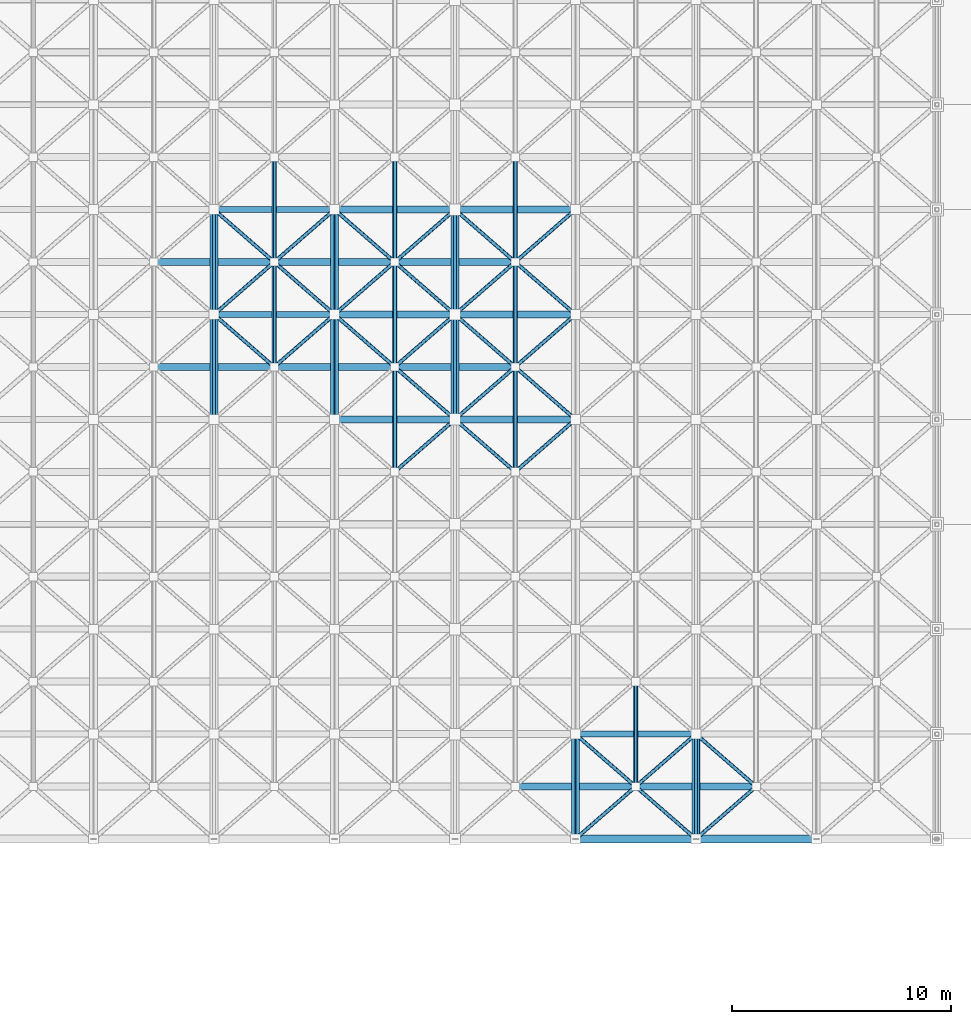
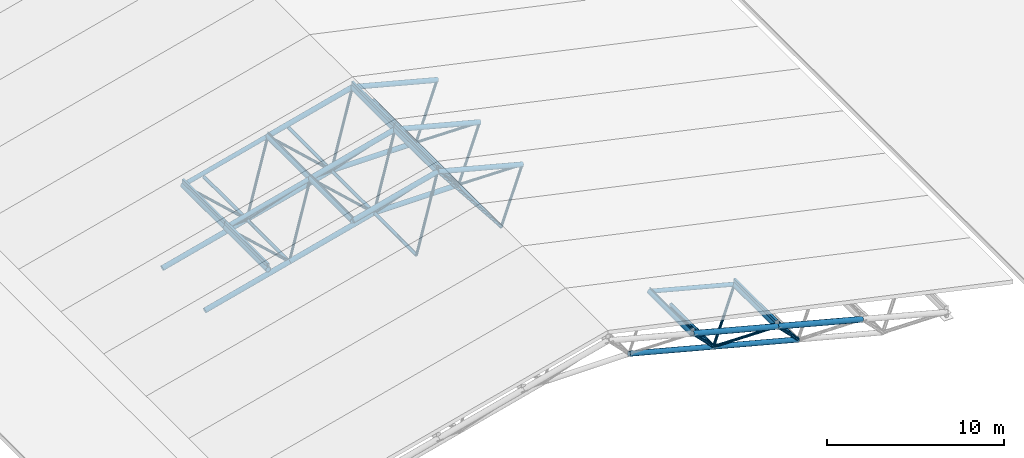
# One storey, part 4 of 60: 74 members.
"""IFC4 building model written with IfcOpenShell, lengths in metres."""

import ifcopenshell
import ifcopenshell.guid

model = None  # the IFC model being written
_history = None  # IfcOwnerHistory: only IFC2X3 demands one
_inside = {}  # id of a spatial element -> (the spatial element, [elements in it])
_under = {}  # id of a project, library or spatial element -> (it, [spatial elements below it])
_declared = {}  # id of a project -> (the project, [libraries it declares])
_typed = {}  # id of a type object -> (the type object, [elements of that type])
_made_of = {}  # id of a material, layer set ... -> (it, [elements and type objects made of it])


def new_model(schema):
    """Start an empty IFC model of exactly this schema.

    Asked for "IFC4X3", IfcOpenShell would pick the latest addendum, in which some entities
    have other attributes; the version numbers below select the first issue.
    IFC2X3 requires an IfcOwnerHistory on every rooted entity: one is made here for all.
    """
    global model, _history
    if schema == "IFC4X3":
        model = ifcopenshell.file(schema_version=(4, 3, 0, 0))
    else:
        model = ifcopenshell.file(schema=schema)
    _inside.clear()
    _under.clear()
    _declared.clear()
    _typed.clear()
    _made_of.clear()
    _history = None
    if model.schema == "IFC2X3":
        org = make("IfcOrganization", Name="unknown")
        user = make(
            "IfcPersonAndOrganization",
            ThePerson=make("IfcPerson", FamilyName="unknown"),
            TheOrganization=org,
        )
        app = make(
            "IfcApplication",
            ApplicationDeveloper=org,
            Version="unknown",
            ApplicationFullName="unknown",
            ApplicationIdentifier="unknown",
        )
        _history = make(
            "IfcOwnerHistory",
            OwningUser=user,
            OwningApplication=app,
            ChangeAction="ADDED",
            CreationDate=0,
        )
    return model


def make(cls, **values):
    """One entity of the class cls with the attributes given. An attribute that is None is left unset."""
    return model.create_entity(
        cls, **{name: value for name, value in values.items() if value is not None}
    )


def rooted(cls, **values):
    """An entity with a GlobalId (a new one), such as an element, a storey or a relation."""
    return make(cls, GlobalId=ifcopenshell.guid.new(), OwnerHistory=_history, **values)


def si_unit(unit_type, name, prefix=None):
    """IfcSIUnit, for example si_unit("LENGTHUNIT", "METRE", prefix="MILLI")."""
    return make("IfcSIUnit", UnitType=unit_type, Prefix=prefix, Name=name)


def assignment(units):
    """IfcUnitAssignment: the units of a project."""
    return None if units is None else make("IfcUnitAssignment", Units=units)


def point(xyz):
    """IfcCartesianPoint."""
    return None if xyz is None else make("IfcCartesianPoint", Coordinates=xyz)


def direction(xyz):
    """IfcDirection."""
    return None if xyz is None else make("IfcDirection", DirectionRatios=xyz)


def frame(location, z_axis=None, x_axis=None):
    """IfcAxis2Placement3D, a coordinate frame: its origin and axes. An axis left out is left unset."""
    return make(
        "IfcAxis2Placement3D",
        Location=point(location),
        Axis=direction(z_axis),
        RefDirection=direction(x_axis),
    )


def frame_2d(location, x_axis=None):
    """IfcAxis2Placement2D, a coordinate frame in the plane: its origin and x axis."""
    return make(
        "IfcAxis2Placement2D", Location=point(location), RefDirection=direction(x_axis)
    )


def origin():
    """The frame at (0, 0, 0) with its axes left unset."""
    return frame((0.0, 0.0, 0.0))


def origin_2d():
    """The frame at (0, 0) in the plane with its x axis left unset."""
    return frame_2d((0.0, 0.0))


def place(relative_to, where):
    """IfcLocalPlacement: puts the frame where relative to a parent placement (None: the world)."""
    return make(
        "IfcLocalPlacement", PlacementRelTo=relative_to, RelativePlacement=where
    )


def context(
    kind, dimensions, precision=None, world=None, true_north=None, identifier=None
):
    """IfcGeometricRepresentationContext, for example the 3D "Model" context."""
    return make(
        "IfcGeometricRepresentationContext",
        ContextIdentifier=identifier,
        ContextType=kind,
        CoordinateSpaceDimension=dimensions,
        Precision=precision,
        WorldCoordinateSystem=world,
        TrueNorth=true_north,
    )


def subcontext(parent, identifier, kind, view, scale=None):
    """IfcGeometricRepresentationSubContext, for example "Body" below "Model"."""
    return make(
        "IfcGeometricRepresentationSubContext",
        ContextIdentifier=identifier,
        ContextType=kind,
        ParentContext=parent,
        TargetScale=scale,
        TargetView=view,
    )


def project(units=None, contexts=None):
    """IfcProject with its units and contexts."""
    return rooted(
        "IfcProject",
        Name="project",
        RepresentationContexts=contexts,
        UnitsInContext=assignment(units),
    )


def spatial(cls, under=None, at=None, **own):
    """A site, building, storey or space (cls), placed at a placement, below another one or the project."""
    s = rooted(cls, ObjectPlacement=at, **own)
    if under is not None:
        _under.setdefault(under.id(), (under, []))[1].append(s)
    return s


def profile(cls, at=None, kind="AREA", **sizes):
    """A parametric profile (cls). Its sizes go by their IFC names, for example OverallWidth=200.0."""
    return make(cls, ProfileType=kind, Position=at, **sizes)


def hollow_rectangle(**sizes):
    """IfcRectangleHollowProfileDef."""
    return profile("IfcRectangleHollowProfileDef", **sizes)


def hollow_circle(**sizes):
    """IfcCircleHollowProfileDef."""
    return profile("IfcCircleHollowProfileDef", **sizes)


def extrude(swept, where, along, depth):
    """IfcExtrudedAreaSolid: the profile swept, set in the frame where, extruded along a direction by depth."""
    return make(
        "IfcExtrudedAreaSolid",
        SweptArea=swept,
        Position=where,
        ExtrudedDirection=direction(along),
        Depth=depth,
    )


def shape(context_of_items, identifier, shape_type, items):
    """IfcShapeRepresentation: the items that make up one representation, for example the "Body"."""
    return make(
        "IfcShapeRepresentation",
        ContextOfItems=context_of_items,
        RepresentationIdentifier=identifier,
        RepresentationType=shape_type,
        Items=items,
    )


def material(Name=None, Category=None):
    """IfcMaterial."""
    return make("IfcMaterial", Name=Name, Category=Category)


def material_profile(
    of_material, cross_section, Name=None, Category=None, Priority=None
):
    """IfcMaterialProfile: a cross section and its material."""
    return make(
        "IfcMaterialProfile",
        Name=Name,
        Material=of_material,
        Profile=cross_section,
        Priority=Priority,
        Category=Category,
    )


def profile_set(profiles, Name=None, composite=None):
    """IfcMaterialProfileSet."""
    return make(
        "IfcMaterialProfileSet",
        Name=Name,
        MaterialProfiles=profiles,
        CompositeProfile=composite,
    )


def made_of(thing, what):
    """Note that an element or type object is made of a material, layer set ...; save() writes the relation."""
    if what is not None:
        _made_of.setdefault(what.id(), (what, []))[1].append(thing)
    return thing


def type_object(cls, material=None, **own):
    """A type object (cls), such as IfcWallType, which elements share."""
    return made_of(rooted(cls, **own), material)


def element(
    cls,
    number,
    at=None,
    inside=None,
    cuts=None,
    type_object=None,
    material=None,
    context=None,
    identifier="Body",
    shape_type=None,
    held_by="IfcProductDefinitionShape",
    body=None,
    shapes=None,
    **own,
):
    """One element of the class cls, such as IfcWall. Its Tag is "e" and its number.

    at: its placement. inside: the storey or other place that contains it. cuts: it is an
    opening in that element (IfcRelVoidsElement). A single representation is given by context,
    identifier, shape_type and body (its items); several are given by shapes. held_by: the class
    of the entity that holds the representations. save() writes the other relations.
    """
    e = rooted(cls, Tag="e%d" % number, ObjectPlacement=at, **own)
    if body is not None:
        shapes = [shape(context, identifier, shape_type, body)]
    if shapes is not None:
        e.Representation = make(held_by, Representations=shapes)
    if inside is not None:
        _inside.setdefault(inside.id(), (inside, []))[1].append(e)
    if cuts is not None:
        rooted(
            "IfcRelVoidsElement", RelatingBuildingElement=cuts, RelatedOpeningElement=e
        )
    if type_object is not None:
        _typed.setdefault(type_object.id(), (type_object, []))[1].append(e)
    return made_of(e, material)


def aggregate(whole, parts):
    """IfcRelAggregates: a whole, such as a stair, and the parts it consists of."""
    return rooted("IfcRelAggregates", RelatingObject=whole, RelatedObjects=parts)


def save(model, path):
    """Write the relations noted so far, then the file.

    IfcRelAggregates (storeys below a building ...), IfcRelContainedInSpatialStructure (elements
    in a storey), IfcRelDefinesByType, IfcRelAssociatesMaterial and IfcRelDeclares: one each for
    every whole, place, type object, material and project.
    """
    for whole, parts in _under.values():
        aggregate(whole, parts)
    for where, things in _inside.values():
        rooted(
            "IfcRelContainedInSpatialStructure",
            RelatedElements=things,
            RelatingStructure=where,
        )
    for kind, things in _typed.values():
        rooted("IfcRelDefinesByType", RelatedObjects=things, RelatingType=kind)
    for what, things in _made_of.values():
        rooted("IfcRelAssociatesMaterial", RelatedObjects=things, RelatingMaterial=what)
    for by, libraries in _declared.values():
        rooted("IfcRelDeclares", RelatingContext=by, RelatedDefinitions=libraries)
    model.write(path)


model = new_model("IFC4")

# Units and contexts
model_context = context("Model", 3, precision=1e-05, world=origin(), true_north=direction((0.0, 1.0)))
body_context = subcontext(model_context, "Body", "Model", "MODEL_VIEW")
ifc_project = project(units=[si_unit("LENGTHUNIT", "METRE"), si_unit("AREAUNIT", "SQUARE_METRE"), si_unit("VOLUMEUNIT", "CUBIC_METRE"), si_unit("PLANEANGLEUNIT", "RADIAN"), si_unit("MASSUNIT", "GRAM", prefix="KILO")], contexts=[model_context])

# Site, building, storey
site_placement = place(None, origin())
site = spatial("IfcSite", under=ifc_project, at=site_placement, CompositionType="ELEMENT")
building_placement = place(site_placement, origin())
building = spatial("IfcBuilding", under=site, at=building_placement, Name="Nakhvara Creek Congress Hotel", CompositionType="ELEMENT")
storey_placement = place(building_placement, frame((0.0, 0.0, 54.60009765625)))
storey = spatial("IfcBuildingStorey", under=building, at=storey_placement, Name="RL1", CompositionType="ELEMENT", Elevation=54.60009765625)

# Members
ifc_material = material(Name="Steel S355J2H", Category="steel")
ifc_material_profile_1 = material_profile(ifc_material, hollow_circle(Radius=0.084228515625, WallThickness=0.010009765625, at=origin_2d()), Name="CHS 168.3x10.0", Category="LoadBearing")
ifc_profile_set_1 = profile_set([ifc_material_profile_1], Name="Steel S355J2H")
member_type_1 = type_object("IfcMemberType", Name="MEM-BRC-CHS168H", PredefinedType="BRACE", material=ifc_profile_set_1)
member_1_placement = place(storey_placement, frame((39.46875, 36.0, -34.050048828125), z_axis=(-0.558236963804, -0.486046886997, 0.672406064728), x_axis=(0.656658200939, -0.754188310132, 0.0)))
element("IfcMember", 1, at=member_1_placement, inside=storey, type_object=member_type_1, Name="Congress Space Frame Web Diagonal 0228", PredefinedType="BRACE", context=body_context, shape_type="SweptSolid", body=[
    extrude(hollow_circle(Radius=0.084228515625, WallThickness=0.010009765625, at=origin_2d()), origin(), (0.0, 0.0, 1.0), 4.9375),
])
member_2_placement = place(storey_placement, frame((39.46875, 36.0, -34.050048828125), z_axis=(0.670667166184, -0.583937842656, 0.457408076139), x_axis=(0.656658200939, 0.754188310132, 0.0)))
element("IfcMember", 2, at=member_2_placement, inside=storey, type_object=member_type_1, Name="Congress Space Frame Web Diagonal 0229", PredefinedType="BRACE", context=body_context, shape_type="SweptSolid", body=[
    extrude(hollow_circle(Radius=0.084228515625, WallThickness=0.010009765625, at=origin_2d()), origin(), (0.0, 0.0, 1.0), 4.10986328125),
])
member_3_placement = place(storey_placement, frame((39.46875, 36.0, -34.050048828125), z_axis=(-0.558236963804, 0.486046886997, 0.672406064728), x_axis=(-0.656658200939, -0.754188310132, 0.0)))
element("IfcMember", 3, at=member_3_placement, inside=storey, type_object=member_type_1, Name="Congress Space Frame Web Diagonal 0230", PredefinedType="BRACE", context=body_context, shape_type="SweptSolid", body=[
    extrude(hollow_circle(Radius=0.084228515625, WallThickness=0.010009765625, at=origin_2d()), origin(), (0.0, 0.0, 1.0), 4.9375),
])
member_4_placement = place(storey_placement, frame((39.46875, 36.0, -34.050048828125), z_axis=(0.670667166184, 0.583937842656, 0.457408076139), x_axis=(-0.656658200939, 0.754188310132, 0.0)))
element("IfcMember", 4, at=member_4_placement, inside=storey, type_object=member_type_1, Name="Congress Space Frame Web Diagonal 0231", PredefinedType="BRACE", context=body_context, shape_type="SweptSolid", body=[
    extrude(hollow_circle(Radius=0.084228515625, WallThickness=0.010009765625, at=origin_2d()), origin(), (0.0, 0.0, 1.0), 4.10986328125),
])
for number, where, z_axis, x_axis, name in (
    (5, (44.981201171875, 36.0, -35.489990234375), (-0.558221485692, -0.4860764642, 0.672397534099), (0.656691284984, -0.754159503173, 0.0), "Congress Space Frame Web Diagonal 0234"),
    (6, (44.981201171875, 36.0, -35.489990234375), (-0.558221485692, 0.4860764642, 0.672397534099), (-0.656691284984, -0.754159503173, 0.0), "Congress Space Frame Web Diagonal 0236"),
):
    element("IfcMember", number, at=place(storey_placement, frame(where, z_axis=z_axis, x_axis=x_axis)), inside=storey, type_object=member_type_1, Name=name, PredefinedType="BRACE", context=body_context, shape_type="SweptSolid", body=[
        extrude(hollow_circle(Radius=0.084228515625, WallThickness=0.010009765625, at=origin_2d()), origin(), (0.0, 0.0, 1.0), 4.937255859375),
    ])
member_5_placement = place(storey_placement, frame((28.44384765625, 50.39990234375, -32.610107421875), z_axis=(0.558189509619, 0.486098066176, 0.672408463221), x_axis=(-0.656729278158, 0.754126418587, 0.0)))
element("IfcMember", 7, at=member_5_placement, inside=storey, type_object=member_type_1, Name="Congress Space Frame Web Diagonal 0360", PredefinedType="BRACE", context=body_context, shape_type="SweptSolid", body=[
    extrude(hollow_circle(Radius=0.084228515625, WallThickness=0.010009765625, at=origin_2d()), origin(), (0.0, 0.0, 1.0), 4.9375),
])
member_6_placement = place(storey_placement, frame((33.956298828125, 50.39990234375, -32.610107421875), z_axis=(-0.558223547657, 0.486084649868, 0.672389904746), x_axis=(-0.656696195101, -0.754155227616, 0.0)))
element("IfcMember", 8, at=member_6_placement, inside=storey, type_object=member_type_1, Name="Congress Space Frame Web Diagonal 0365", PredefinedType="BRACE", context=body_context, shape_type="SweptSolid", body=[
    extrude(hollow_circle(Radius=0.084228515625, WallThickness=0.010009765625, at=origin_2d()), origin(), (0.0, 0.0, 1.0), 4.937744140625),
])
for number, where, z_axis, x_axis, name in (
    (9, (33.956298828125, 50.39990234375, -32.610107421875), (0.670592992914, 0.58398438421, 0.457457404414), (-0.656729278158, 0.754126418587, 0.0), "Congress Space Frame Web Diagonal 0366"),
    (10, (22.93115234375, 55.199951171875, -34.050048828125), (-0.670611215194, 0.584000253041, 0.457410431127), (-0.656729278158, -0.754126418587, 0.0), "Congress Space Frame Web Diagonal 0400"),
):
    element("IfcMember", number, at=place(storey_placement, frame(where, z_axis=z_axis, x_axis=x_axis)), inside=storey, type_object=member_type_1, Name=name, PredefinedType="BRACE", context=body_context, shape_type="SweptSolid", body=[
        extrude(hollow_circle(Radius=0.084228515625, WallThickness=0.010009765625, at=origin_2d()), origin(), (0.0, 0.0, 1.0), 4.10986328125),
    ])
member_7_placement = place(storey_placement, frame((22.93115234375, 55.199951171875, -34.050048828125), z_axis=(0.558223547657, 0.486084649868, 0.672389904746), x_axis=(-0.656696195101, 0.754155227616, 0.0)))
element("IfcMember", 11, at=member_7_placement, inside=storey, type_object=member_type_1, Name="Congress Space Frame Web Diagonal 0401", PredefinedType="BRACE", context=body_context, shape_type="SweptSolid", body=[
    extrude(hollow_circle(Radius=0.084228515625, WallThickness=0.010009765625, at=origin_2d()), origin(), (0.0, 0.0, 1.0), 4.937744140625),
])
member_8_placement = place(storey_placement, frame((28.44384765625, 55.199951171875, -32.610107421875), z_axis=(0.558202925689, -0.486060302908, 0.672424624541), x_axis=(0.656691284984, 0.754159503173, 0.0)))
element("IfcMember", 12, at=member_8_placement, inside=storey, type_object=member_type_1, Name="Congress Space Frame Web Diagonal 0405", PredefinedType="BRACE", context=body_context, shape_type="SweptSolid", body=[
    extrude(hollow_circle(Radius=0.084228515625, WallThickness=0.010009765625, at=origin_2d()), origin(), (0.0, 0.0, 1.0), 4.9375),
])
member_9_placement = place(storey_placement, frame((28.44384765625, 55.199951171875, -32.610107421875), z_axis=(-0.670625680367, 0.583961121673, 0.457439181976), x_axis=(-0.656696195101, -0.754155227616, 0.0)))
element("IfcMember", 13, at=member_9_placement, inside=storey, type_object=member_type_1, Name="Congress Space Frame Web Diagonal 0406", PredefinedType="BRACE", context=body_context, shape_type="SweptSolid", body=[
    extrude(hollow_circle(Radius=0.084228515625, WallThickness=0.010009765625, at=origin_2d()), origin(), (0.0, 0.0, 1.0), 4.110107421875),
])
for number, where, z_axis, x_axis, name in (
    (14, (28.44384765625, 55.199951171875, -32.610107421875), (0.558189509619, 0.486098066176, 0.672408463221), (-0.656729278158, 0.754126418587, 0.0), "Congress Space Frame Web Diagonal 0407"),
    (15, (33.956298828125, 55.199951171875, -32.610107421875), (-0.558236963804, -0.486046886997, 0.672406064728), (0.656658200939, -0.754188310132, 0.0), "Congress Space Frame Web Diagonal 0410"),
):
    element("IfcMember", number, at=place(storey_placement, frame(where, z_axis=z_axis, x_axis=x_axis)), inside=storey, type_object=member_type_1, Name=name, PredefinedType="BRACE", context=body_context, shape_type="SweptSolid", body=[
        extrude(hollow_circle(Radius=0.084228515625, WallThickness=0.010009765625, at=origin_2d()), origin(), (0.0, 0.0, 1.0), 4.9375),
    ])
member_10_placement = place(storey_placement, frame((33.956298828125, 55.199951171875, -32.610107421875), z_axis=(0.670616255838, -0.583945238275, 0.457473273648), x_axis=(0.656691284984, 0.754159503173, 0.0)))
element("IfcMember", 16, at=member_10_placement, inside=storey, type_object=member_type_1, Name="Congress Space Frame Web Diagonal 0411", PredefinedType="BRACE", context=body_context, shape_type="SweptSolid", body=[
    extrude(hollow_circle(Radius=0.084228515625, WallThickness=0.010009765625, at=origin_2d()), origin(), (0.0, 0.0, 1.0), 4.10986328125),
])
member_11_placement = place(storey_placement, frame((33.956298828125, 55.199951171875, -32.610107421875), z_axis=(-0.558223547657, 0.486084649868, 0.672389904746), x_axis=(-0.656696195101, -0.754155227616, 0.0)))
element("IfcMember", 17, at=member_11_placement, inside=storey, type_object=member_type_1, Name="Congress Space Frame Web Diagonal 0412", PredefinedType="BRACE", context=body_context, shape_type="SweptSolid", body=[
    extrude(hollow_circle(Radius=0.084228515625, WallThickness=0.010009765625, at=origin_2d()), origin(), (0.0, 0.0, 1.0), 4.937744140625),
])
member_12_placement = place(storey_placement, frame((33.956298828125, 55.199951171875, -32.610107421875), z_axis=(0.670592992914, 0.58398438421, 0.457457404414), x_axis=(-0.656729278158, 0.754126418587, 0.0)))
element("IfcMember", 18, at=member_12_placement, inside=storey, type_object=member_type_1, Name="Congress Space Frame Web Diagonal 0413", PredefinedType="BRACE", context=body_context, shape_type="SweptSolid", body=[
    extrude(hollow_circle(Radius=0.084228515625, WallThickness=0.010009765625, at=origin_2d()), origin(), (0.0, 0.0, 1.0), 4.10986328125),
])
member_13_placement = place(storey_placement, frame((22.93115234375, 60.0, -34.050048828125), z_axis=(-0.670634480014, -0.583961107143, 0.457426299593), x_axis=(0.656691284984, -0.754159503173, 0.0)))
element("IfcMember", 19, at=member_13_placement, inside=storey, type_object=member_type_1, Name="Congress Space Frame Web Diagonal 0445", PredefinedType="BRACE", context=body_context, shape_type="SweptSolid", body=[
    extrude(hollow_circle(Radius=0.084228515625, WallThickness=0.010009765625, at=origin_2d()), origin(), (0.0, 0.0, 1.0), 4.109619140625),
])
member_14_placement = place(storey_placement, frame((22.93115234375, 60.0, -34.050048828125), z_axis=(0.558236963804, -0.486046886997, 0.672406064728), x_axis=(0.656658200939, 0.754188310132, 0.0)))
element("IfcMember", 20, at=member_14_placement, inside=storey, type_object=member_type_1, Name="Congress Space Frame Web Diagonal 0446", PredefinedType="BRACE", context=body_context, shape_type="SweptSolid", body=[
    extrude(hollow_circle(Radius=0.084228515625, WallThickness=0.010009765625, at=origin_2d()), origin(), (0.0, 0.0, 1.0), 4.9375),
])
member_15_placement = place(storey_placement, frame((22.93115234375, 60.0, -34.050048828125), z_axis=(-0.670634480014, 0.583961107143, 0.457426299593), x_axis=(-0.656691284984, -0.754159503173, 0.0)))
element("IfcMember", 21, at=member_15_placement, inside=storey, type_object=member_type_1, Name="Congress Space Frame Web Diagonal 0447", PredefinedType="BRACE", context=body_context, shape_type="SweptSolid", body=[
    extrude(hollow_circle(Radius=0.084228515625, WallThickness=0.010009765625, at=origin_2d()), origin(), (0.0, 0.0, 1.0), 4.109619140625),
])
member_16_placement = place(storey_placement, frame((22.93115234375, 60.0, -34.050048828125), z_axis=(0.558236963804, 0.486046886997, 0.672406064728), x_axis=(-0.656658200939, 0.754188310132, 0.0)))
element("IfcMember", 22, at=member_16_placement, inside=storey, type_object=member_type_1, Name="Congress Space Frame Web Diagonal 0448", PredefinedType="BRACE", context=body_context, shape_type="SweptSolid", body=[
    extrude(hollow_circle(Radius=0.084228515625, WallThickness=0.010009765625, at=origin_2d()), origin(), (0.0, 0.0, 1.0), 4.9375),
])
member_17_placement = place(storey_placement, frame((28.44384765625, 60.0, -32.610107421875), z_axis=(-0.670648942571, -0.583921975684, 0.457455049313), x_axis=(0.656658200939, -0.754188310132, 0.0)))
element("IfcMember", 23, at=member_17_placement, inside=storey, type_object=member_type_1, Name="Congress Space Frame Web Diagonal 0451", PredefinedType="BRACE", context=body_context, shape_type="SweptSolid", body=[
    extrude(hollow_circle(Radius=0.084228515625, WallThickness=0.010009765625, at=origin_2d()), origin(), (0.0, 0.0, 1.0), 4.10986328125),
])
member_18_placement = place(storey_placement, frame((28.44384765625, 60.0, -32.610107421875), z_axis=(0.558202925689, -0.486060302908, 0.672424624541), x_axis=(0.656691284984, 0.754159503173, 0.0)))
element("IfcMember", 24, at=member_18_placement, inside=storey, type_object=member_type_1, Name="Congress Space Frame Web Diagonal 0452", PredefinedType="BRACE", context=body_context, shape_type="SweptSolid", body=[
    extrude(hollow_circle(Radius=0.084228515625, WallThickness=0.010009765625, at=origin_2d()), origin(), (0.0, 0.0, 1.0), 4.9375),
])
member_19_placement = place(storey_placement, frame((28.44384765625, 60.0, -32.610107421875), z_axis=(-0.670648942571, 0.583921975684, 0.457455049313), x_axis=(-0.656658200939, -0.754188310132, 0.0)))
element("IfcMember", 25, at=member_19_placement, inside=storey, type_object=member_type_1, Name="Congress Space Frame Web Diagonal 0453", PredefinedType="BRACE", context=body_context, shape_type="SweptSolid", body=[
    extrude(hollow_circle(Radius=0.084228515625, WallThickness=0.010009765625, at=origin_2d()), origin(), (0.0, 0.0, 1.0), 4.10986328125),
])
for number, where, z_axis, x_axis, name in (
    (26, (28.44384765625, 60.0, -32.610107421875), (0.558202925689, 0.486060302908, 0.672424624541), (-0.656691284984, 0.754159503173, 0.0), "Congress Space Frame Web Diagonal 0454"),
    (27, (33.956298828125, 60.0, -32.610107421875), (-0.558236963804, -0.486046886997, 0.672406064728), (0.656658200939, -0.754188310132, 0.0), "Congress Space Frame Web Diagonal 0457"),
):
    element("IfcMember", number, at=place(storey_placement, frame(where, z_axis=z_axis, x_axis=x_axis)), inside=storey, type_object=member_type_1, Name=name, PredefinedType="BRACE", context=body_context, shape_type="SweptSolid", body=[
        extrude(hollow_circle(Radius=0.084228515625, WallThickness=0.010009765625, at=origin_2d()), origin(), (0.0, 0.0, 1.0), 4.9375),
    ])
member_20_placement = place(storey_placement, frame((33.956298828125, 60.0, -32.610107421875), z_axis=(0.670616255838, -0.583945238275, 0.457473273648), x_axis=(0.656691284984, 0.754159503173, 0.0)))
element("IfcMember", 28, at=member_20_placement, inside=storey, type_object=member_type_1, Name="Congress Space Frame Web Diagonal 0458", PredefinedType="BRACE", context=body_context, shape_type="SweptSolid", body=[
    extrude(hollow_circle(Radius=0.084228515625, WallThickness=0.010009765625, at=origin_2d()), origin(), (0.0, 0.0, 1.0), 4.10986328125),
])
member_21_placement = place(storey_placement, frame((33.956298828125, 60.0, -32.610107421875), z_axis=(-0.558236963804, 0.486046886997, 0.672406064728), x_axis=(-0.656658200939, -0.754188310132, 0.0)))
element("IfcMember", 29, at=member_21_placement, inside=storey, type_object=member_type_1, Name="Congress Space Frame Web Diagonal 0459", PredefinedType="BRACE", context=body_context, shape_type="SweptSolid", body=[
    extrude(hollow_circle(Radius=0.084228515625, WallThickness=0.010009765625, at=origin_2d()), origin(), (0.0, 0.0, 1.0), 4.9375),
])
member_22_placement = place(storey_placement, frame((33.956298828125, 60.0, -32.610107421875), z_axis=(0.670616255838, 0.583945238275, 0.457473273648), x_axis=(-0.656691284984, 0.754159503173, 0.0)))
element("IfcMember", 30, at=member_22_placement, inside=storey, type_object=member_type_1, Name="Congress Space Frame Web Diagonal 0460", PredefinedType="BRACE", context=body_context, shape_type="SweptSolid", body=[
    extrude(hollow_circle(Radius=0.084228515625, WallThickness=0.010009765625, at=origin_2d()), origin(), (0.0, 0.0, 1.0), 4.10986328125),
])
ifc_material_profile_2 = material_profile(ifc_material, hollow_circle(Radius=0.109619140625, WallThickness=0.012451171875, at=origin_2d()), Name="CHS 219.1x12.5", Category="LoadBearing")
ifc_profile_set_2 = profile_set([ifc_material_profile_2], Name="Steel S355J2H")
member_type_2 = type_object("IfcMemberType", Name="MEM-CHD-CHS219H", PredefinedType="CHORD", material=ifc_profile_set_2)
for number, where, z_axis, x_axis, name in (
    (31, (39.46875, 36.0, -34.050048828125), (0.0, 1.0, 0.0), (-1.0, 0.0, 0.0), "Congress Roof Truss Bottom Tie 0227"),
    (32, (28.44384765625, 50.39990234375, -32.610107421875), (0.0, 1.0, 0.0), (-1.0, 0.0, 0.0), "Congress Roof Truss Bottom Tie 0356"),
    (33, (33.956298828125, 50.39990234375, -32.610107421875), (0.0, 1.0, 0.0), (-1.0, 0.0, 0.0), "Congress Roof Truss Bottom Tie 0362"),
    (34, (22.93115234375, 55.199951171875, -34.050048828125), (0.0, 1.0, 0.0), (-1.0, 0.0, 0.0), "Congress Roof Truss Bottom Tie 0397"),
    (35, (28.44384765625, 55.199951171875, -32.610107421875), (0.0, 1.0, 0.0), (-1.0, 0.0, 0.0), "Congress Roof Truss Bottom Tie 0403"),
    (36, (33.956298828125, 55.199951171875, -32.610107421875), (0.0, 1.0, 0.0), (-1.0, 0.0, 0.0), "Congress Roof Truss Bottom Tie 0409"),
    (37, (22.93115234375, 60.0, -34.050048828125), (0.0, 1.0, 0.0), (-1.0, 0.0, 0.0), "Congress Roof Truss Bottom Tie 0444"),
    (38, (28.44384765625, 60.0, -32.610107421875), (0.0, 1.0, 0.0), (-1.0, 0.0, 0.0), "Congress Roof Truss Bottom Tie 0450"),
    (39, (33.956298828125, 60.0, -32.610107421875), (0.0, 1.0, 0.0), (-1.0, 0.0, 0.0), "Congress Roof Truss Bottom Tie 0456"),
):
    element("IfcMember", number, at=place(storey_placement, frame(where, z_axis=z_axis, x_axis=x_axis)), inside=storey, type_object=member_type_2, Name=name, PredefinedType="CHORD", context=body_context, shape_type="SweptSolid", body=[
        extrude(hollow_circle(Radius=0.109619140625, WallThickness=0.012451171875, at=origin_2d()), origin(), (0.0, 0.0, 1.0), 4.800048828125),
    ])
ifc_material_profile_3 = material_profile(ifc_material, hollow_circle(Radius=0.136474609375, WallThickness=0.01611328125, at=origin_2d()), Name="CHS 273.0x16.0", Category="LoadBearing")
ifc_profile_set_3 = profile_set([ifc_material_profile_3], Name="Steel S355J2H")
member_type_3 = type_object("IfcMemberType", Name="MEM-CHD-CHS273H", PredefinedType="CHORD", material=ifc_profile_set_3)
member_23_placement = place(storey_placement, frame((36.71240234375, 38.39990234375, -30.72998046875), z_axis=(0.967527570021, 0.0, -0.252765506446), x_axis=(0.0, 1.0, 0.0)))
element("IfcMember", 40, at=member_23_placement, inside=storey, type_object=member_type_3, Name="Congress Space Frame Top Chord 0028", PredefinedType="CHORD", context=body_context, shape_type="SweptSolid", body=[
    extrude(hollow_circle(Radius=0.136474609375, WallThickness=0.01611328125, at=origin_2d()), origin(), (0.0, 0.0, 1.0), 5.69775390625),
])
for number, where, z_axis, x_axis, name in (
    (41, (20.175048828125, 57.60009765625, -32.170166015625), (0.967524832219, 0.0, 0.252775985883), (0.0, 1.0, 0.0), "Congress Space Frame Top Chord 0090"),
    (42, (20.175048828125, 62.39990234375, -32.170166015625), (0.967524832219, 0.0, 0.252775985883), (0.0, 1.0, 0.0), "Congress Space Frame Top Chord 0107"),
):
    element("IfcMember", number, at=place(storey_placement, frame(where, z_axis=z_axis, x_axis=x_axis)), inside=storey, type_object=member_type_3, Name=name, PredefinedType="CHORD", context=body_context, shape_type="SweptSolid", body=[
        extrude(hollow_circle(Radius=0.136474609375, WallThickness=0.01611328125, at=origin_2d()), origin(), (0.0, 0.0, 1.0), 5.697509765625),
    ])
ifc_material_profile_4 = material_profile(ifc_material, hollow_circle(Radius=0.161865234375, WallThickness=0.012451171875, at=origin_2d()), Name="CHS 323.9x12.5", Category="LoadBearing")
ifc_profile_set_4 = profile_set([ifc_material_profile_4], Name="Steel S355J2H")
member_type_4 = type_object("IfcMemberType", Name="MEM-CHD-CHS324", PredefinedType="CHORD", material=ifc_profile_set_4)
for number, where, z_axis, x_axis, name in (
    (43, (33.956298828125, 36.0, -32.610107421875), (0.967535311358, 0.0, -0.252735872554), (0.0, 1.0, 0.0), "Congress Space Frame Bottom Chord 0220"),
    (44, (39.46875, 36.0, -34.050048828125), (0.967535311358, 0.0, -0.252735872554), (0.0, 1.0, 0.0), "Congress Space Frame Bottom Chord 0226"),
    (45, (17.418701171875, 55.199951171875, -35.489990234375), (0.967535311358, 0.0, 0.252735872554), (0.0, 1.0, 0.0), "Congress Space Frame Bottom Chord 0390"),
):
    element("IfcMember", number, at=place(storey_placement, frame(where, z_axis=z_axis, x_axis=x_axis)), inside=storey, type_object=member_type_4, Name=name, PredefinedType="CHORD", context=body_context, shape_type="SweptSolid", body=[
        extrude(hollow_circle(Radius=0.161865234375, WallThickness=0.012451171875, at=origin_2d()), origin(), (0.0, 0.0, 1.0), 5.697509765625),
    ])
member_24_placement = place(storey_placement, frame((22.93115234375, 55.199951171875, -34.050048828125), z_axis=(0.967538048321, 0.0, 0.252725394553), x_axis=(0.0, 1.0, 0.0)))
element("IfcMember", 46, at=member_24_placement, inside=storey, type_object=member_type_4, Name="Congress Space Frame Bottom Chord 0396", PredefinedType="CHORD", context=body_context, shape_type="SweptSolid", body=[
    extrude(hollow_circle(Radius=0.161865234375, WallThickness=0.012451171875, at=origin_2d()), origin(), (0.0, 0.0, 1.0), 5.69775390625),
])
member_25_placement = place(storey_placement, frame((28.44384765625, 55.199951171875, -32.610107421875), z_axis=(1.0, 0.0, 0.0), x_axis=(0.0, 1.0, 0.0)))
element("IfcMember", 47, at=member_25_placement, inside=storey, type_object=member_type_4, Name="Congress Space Frame Bottom Chord 0402", PredefinedType="CHORD", context=body_context, shape_type="SweptSolid", body=[
    extrude(hollow_circle(Radius=0.161865234375, WallThickness=0.012451171875, at=origin_2d()), origin(), (0.0, 0.0, 1.0), 5.512451171875),
])
member_26_placement = place(storey_placement, frame((17.418701171875, 60.0, -35.489990234375), z_axis=(0.967535311358, 0.0, 0.252735872554), x_axis=(0.0, 1.0, 0.0)))
element("IfcMember", 48, at=member_26_placement, inside=storey, type_object=member_type_4, Name="Congress Space Frame Bottom Chord 0437", PredefinedType="CHORD", context=body_context, shape_type="SweptSolid", body=[
    extrude(hollow_circle(Radius=0.161865234375, WallThickness=0.012451171875, at=origin_2d()), origin(), (0.0, 0.0, 1.0), 5.697509765625),
])
member_27_placement = place(storey_placement, frame((22.93115234375, 60.0, -34.050048828125), z_axis=(0.967538048321, 0.0, 0.252725394553), x_axis=(0.0, 1.0, 0.0)))
element("IfcMember", 49, at=member_27_placement, inside=storey, type_object=member_type_4, Name="Congress Space Frame Bottom Chord 0443", PredefinedType="CHORD", context=body_context, shape_type="SweptSolid", body=[
    extrude(hollow_circle(Radius=0.161865234375, WallThickness=0.012451171875, at=origin_2d()), origin(), (0.0, 0.0, 1.0), 5.69775390625),
])
member_28_placement = place(storey_placement, frame((28.44384765625, 60.0, -32.610107421875), z_axis=(1.0, 0.0, 0.0), x_axis=(0.0, 1.0, 0.0)))
element("IfcMember", 50, at=member_28_placement, inside=storey, type_object=member_type_4, Name="Congress Space Frame Bottom Chord 0449", PredefinedType="CHORD", context=body_context, shape_type="SweptSolid", body=[
    extrude(hollow_circle(Radius=0.161865234375, WallThickness=0.012451171875, at=origin_2d()), origin(), (0.0, 0.0, 1.0), 5.512451171875),
])
ifc_material_profile_5 = material_profile(ifc_material, hollow_circle(Radius=0.161865234375, WallThickness=0.01611328125, at=origin_2d()), Name="CHS 323.9x16.0", Category="LoadBearing")
ifc_profile_set_5 = profile_set([ifc_material_profile_5], Name="Steel S355J2H")
member_type_5 = type_object("IfcMemberType", Name="MEM-CHD-CHS324H", PredefinedType="CHORD", material=ifc_profile_set_5)
for number, where, z_axis, x_axis, name in (
    (51, (25.6875, 52.800048828125, -30.72998046875), (0.967535311358, 0.0, 0.252735872554), (0.0, 1.0, 0.0), "Congress Space Frame Top Chord 0075"),
    (52, (31.199951171875, 52.800048828125, -29.2900390625), (0.967535311358, 0.0, -0.252735872554), (0.0, 1.0, 0.0), "Congress Space Frame Top Chord 0077"),
    (53, (25.6875, 57.60009765625, -30.72998046875), (0.967535311358, 0.0, 0.252735872554), (0.0, 1.0, 0.0), "Congress Space Frame Top Chord 0092"),
    (54, (31.199951171875, 57.60009765625, -29.2900390625), (0.967535311358, 0.0, -0.252735872554), (0.0, 1.0, 0.0), "Congress Space Frame Top Chord 0094"),
    (55, (25.6875, 62.39990234375, -30.72998046875), (0.967535311358, 0.0, 0.252735872554), (0.0, 1.0, 0.0), "Congress Space Frame Top Chord 0109"),
    (56, (31.199951171875, 62.39990234375, -29.2900390625), (0.967535311358, 0.0, -0.252735872554), (0.0, 1.0, 0.0), "Congress Space Frame Top Chord 0111"),
):
    element("IfcMember", number, at=place(storey_placement, frame(where, z_axis=z_axis, x_axis=x_axis)), inside=storey, type_object=member_type_5, Name=name, PredefinedType="CHORD", context=body_context, shape_type="SweptSolid", body=[
        extrude(hollow_circle(Radius=0.161865234375, WallThickness=0.01611328125, at=origin_2d()), origin(), (0.0, 0.0, 1.0), 5.697509765625),
    ])
ifc_material_profile_6 = material_profile(ifc_material, hollow_circle(Radius=0.177734375, WallThickness=0.01611328125, at=origin_2d()), Name="CHS 355.6x16.0", Category="LoadBearing")
ifc_profile_set_6 = profile_set([ifc_material_profile_6], Name="Steel S355J2H")
member_type_6 = type_object("IfcMemberType", Name="MEM-CHD-CHS355", PredefinedType="CHORD", material=ifc_profile_set_6)
member_29_placement = place(storey_placement, frame((36.71240234375, 33.60009765625, -30.72998046875), z_axis=(0.967527570021, 0.0, -0.252765506446), x_axis=(0.0, 1.0, 0.0)))
element("IfcMember", 57, at=member_29_placement, inside=storey, type_object=member_type_6, Name="Congress Space Frame Top Chord 0011", PredefinedType="CHORD", context=body_context, shape_type="SweptSolid", body=[
    extrude(hollow_circle(Radius=0.177734375, WallThickness=0.01611328125, at=origin_2d()), origin(), (0.0, 0.0, 1.0), 5.69775390625),
])
member_30_placement = place(storey_placement, frame((36.71240234375, 33.60009765625, -30.72998046875), z_axis=(0.0, 1.0, 0.0), x_axis=(-1.0, 0.0, 0.0)))
element("IfcMember", 58, at=member_30_placement, inside=storey, type_object=member_type_6, Name="Congress Roof Truss Longitudinal Chord 0012", PredefinedType="CHORD", context=body_context, shape_type="SweptSolid", body=[
    extrude(hollow_circle(Radius=0.177734375, WallThickness=0.01611328125, at=origin_2d()), origin(), (0.0, 0.0, 1.0), 4.7998046875),
])
member_31_placement = place(storey_placement, frame((42.22509765625, 33.60009765625, -32.170166015625), z_axis=(0.967535311358, 0.0, -0.252735872554), x_axis=(0.0, 1.0, 0.0)))
element("IfcMember", 59, at=member_31_placement, inside=storey, type_object=member_type_6, Name="Congress Space Frame Top Chord 0013", PredefinedType="CHORD", context=body_context, shape_type="SweptSolid", body=[
    extrude(hollow_circle(Radius=0.177734375, WallThickness=0.01611328125, at=origin_2d()), origin(), (0.0, 0.0, 1.0), 5.697509765625),
])
member_32_placement = place(storey_placement, frame((42.22509765625, 33.60009765625, -32.170166015625), z_axis=(0.0, 1.0, 0.0), x_axis=(-1.0, 0.0, 0.0)))
element("IfcMember", 60, at=member_32_placement, inside=storey, type_object=member_type_6, Name="Congress Roof Truss Longitudinal Chord 0014", PredefinedType="CHORD", context=body_context, shape_type="SweptSolid", body=[
    extrude(hollow_circle(Radius=0.177734375, WallThickness=0.01611328125, at=origin_2d()), origin(), (0.0, 0.0, 1.0), 4.7998046875),
])
for number, where, z_axis, x_axis, name in (
    (61, (20.175048828125, 52.800048828125, -32.170166015625), (0.0, 1.0, 0.0), (-1.0, 0.0, 0.0), "Congress Roof Truss Longitudinal Chord 0074"),
    (62, (25.6875, 52.800048828125, -30.72998046875), (0.0, 1.0, 0.0), (-1.0, 0.0, 0.0), "Congress Roof Truss Longitudinal Chord 0076"),
    (63, (31.199951171875, 52.800048828125, -29.2900390625), (0.0, 1.0, 0.0), (-1.0, 0.0, 0.0), "Congress Roof Truss Longitudinal Chord 0078"),
):
    element("IfcMember", number, at=place(storey_placement, frame(where, z_axis=z_axis, x_axis=x_axis)), inside=storey, type_object=member_type_6, Name=name, PredefinedType="CHORD", context=body_context, shape_type="SweptSolid", body=[
        extrude(hollow_circle(Radius=0.177734375, WallThickness=0.01611328125, at=origin_2d()), origin(), (0.0, 0.0, 1.0), 4.800048828125),
    ])
for number, where, z_axis, x_axis, name in (
    (64, (20.175048828125, 57.60009765625, -32.170166015625), (0.0, 1.0, 0.0), (-1.0, 0.0, 0.0), "Congress Roof Truss Longitudinal Chord 0091"),
    (65, (25.6875, 57.60009765625, -30.72998046875), (0.0, 1.0, 0.0), (-1.0, 0.0, 0.0), "Congress Roof Truss Longitudinal Chord 0093"),
    (66, (31.199951171875, 57.60009765625, -29.2900390625), (0.0, 1.0, 0.0), (-1.0, 0.0, 0.0), "Congress Roof Truss Longitudinal Chord 0095"),
):
    element("IfcMember", number, at=place(storey_placement, frame(where, z_axis=z_axis, x_axis=x_axis)), inside=storey, type_object=member_type_6, Name=name, PredefinedType="CHORD", context=body_context, shape_type="SweptSolid", body=[
        extrude(hollow_circle(Radius=0.177734375, WallThickness=0.01611328125, at=origin_2d()), origin(), (0.0, 0.0, 1.0), 4.7998046875),
    ])
ifc_material_profile_7 = material_profile(ifc_material, hollow_rectangle(XDim=0.06005859375, YDim=0.1201171875, WallThickness=0.0048828125, InnerFilletRadius=0.0048828125, OuterFilletRadius=0.010009765625, at=origin_2d()), Name="RHS 120x60x5.0", Category="LoadBearing")
ifc_profile_set_7 = profile_set([ifc_material_profile_7], Name="Steel S355J2H")
member_type_7 = type_object("IfcMemberType", Name="MEM-PUR-RHS120", PredefinedType="PURLIN", material=ifc_profile_set_7)
member_33_placement = place(storey_placement, frame((25.6875, 52.800048828125, -30.498046875), z_axis=(0.0, 1.0, 0.0), x_axis=(-1.0, 0.0, 0.0)))
element("IfcMember", 67, at=member_33_placement, inside=storey, type_object=member_type_7, Name="Congress Roof Purlin 038", PredefinedType="PURLIN", context=body_context, shape_type="SweptSolid", body=[
    extrude(hollow_rectangle(XDim=0.06005859375, YDim=0.1201171875, WallThickness=0.0048828125, InnerFilletRadius=0.0048828125, OuterFilletRadius=0.010009765625, at=origin_2d()), origin(), (0.0, 0.0, 1.0), 4.800048828125),
])
for number, where, z_axis, x_axis, name in (
    (68, (25.6875, 57.60009765625, -30.498046875), (0.0, 1.0, 0.0), (-1.0, 0.0, 0.0), "Congress Roof Purlin 039"),
    (69, (36.71240234375, 33.60009765625, -30.498046875), (0.0, 1.0, 0.0), (-1.0, 0.0, 0.0), "Congress Roof Purlin 056"),
):
    element("IfcMember", number, at=place(storey_placement, frame(where, z_axis=z_axis, x_axis=x_axis)), inside=storey, type_object=member_type_7, Name=name, PredefinedType="PURLIN", context=body_context, shape_type="SweptSolid", body=[
        extrude(hollow_rectangle(XDim=0.06005859375, YDim=0.1201171875, WallThickness=0.0048828125, InnerFilletRadius=0.0048828125, OuterFilletRadius=0.010009765625, at=origin_2d()), origin(), (0.0, 0.0, 1.0), 4.7998046875),
    ])
ifc_material_profile_8 = material_profile(ifc_material, hollow_rectangle(XDim=0.14990234375, YDim=0.25, WallThickness=0.010009765625, InnerFilletRadius=0.010009765625, OuterFilletRadius=0.02001953125, at=origin_2d()), Name="RHS 250x150x10.0", Category="LoadBearing")
ifc_profile_set_8 = profile_set([ifc_material_profile_8], Name="Steel S355J2H")
member_type_8 = type_object("IfcMemberType", Name="MEM-PUR-RHS250", PredefinedType="PURLIN", material=ifc_profile_set_8)
member_34_placement = place(storey_placement, frame((20.175048828125, 52.800048828125, -31.873046875), z_axis=(0.0, 1.0, 0.0), x_axis=(-1.0, 0.0, 0.0)))
element("IfcMember", 70, at=member_34_placement, inside=storey, type_object=member_type_8, Name="Congress Roof Purlin 027", PredefinedType="PURLIN", context=body_context, shape_type="SweptSolid", body=[
    extrude(hollow_rectangle(XDim=0.14990234375, YDim=0.25, WallThickness=0.010009765625, InnerFilletRadius=0.010009765625, OuterFilletRadius=0.02001953125, at=origin_2d()), origin(), (0.0, 0.0, 1.0), 4.800048828125),
])
member_35_placement = place(storey_placement, frame((20.175048828125, 57.60009765625, -31.873046875), z_axis=(0.0, 1.0, 0.0), x_axis=(-1.0, 0.0, 0.0)))
element("IfcMember", 71, at=member_35_placement, inside=storey, type_object=member_type_8, Name="Congress Roof Purlin 028", PredefinedType="PURLIN", context=body_context, shape_type="SweptSolid", body=[
    extrude(hollow_rectangle(XDim=0.14990234375, YDim=0.25, WallThickness=0.010009765625, InnerFilletRadius=0.010009765625, OuterFilletRadius=0.02001953125, at=origin_2d()), origin(), (0.0, 0.0, 1.0), 4.7998046875),
])
member_36_placement = place(storey_placement, frame((31.199951171875, 52.800048828125, -28.9931640625), z_axis=(0.0, 1.0, 0.0), x_axis=(-1.0, 0.0, 0.0)))
element("IfcMember", 72, at=member_36_placement, inside=storey, type_object=member_type_8, Name="Congress Roof Purlin 049", PredefinedType="PURLIN", context=body_context, shape_type="SweptSolid", body=[
    extrude(hollow_rectangle(XDim=0.14990234375, YDim=0.25, WallThickness=0.010009765625, InnerFilletRadius=0.010009765625, OuterFilletRadius=0.02001953125, at=origin_2d()), origin(), (0.0, 0.0, 1.0), 4.800048828125),
])
for number, where, z_axis, x_axis, name in (
    (73, (31.199951171875, 57.60009765625, -28.9931640625), (0.0, 1.0, 0.0), (-1.0, 0.0, 0.0), "Congress Roof Purlin 050"),
    (74, (42.22509765625, 33.60009765625, -31.873046875), (0.0, 1.0, 0.0), (-1.0, 0.0, 0.0), "Congress Roof Purlin 067"),
):
    element("IfcMember", number, at=place(storey_placement, frame(where, z_axis=z_axis, x_axis=x_axis)), inside=storey, type_object=member_type_8, Name=name, PredefinedType="PURLIN", context=body_context, shape_type="SweptSolid", body=[
        extrude(hollow_rectangle(XDim=0.14990234375, YDim=0.25, WallThickness=0.010009765625, InnerFilletRadius=0.010009765625, OuterFilletRadius=0.02001953125, at=origin_2d()), origin(), (0.0, 0.0, 1.0), 4.7998046875),
    ])

save(model, "model.ifc")
